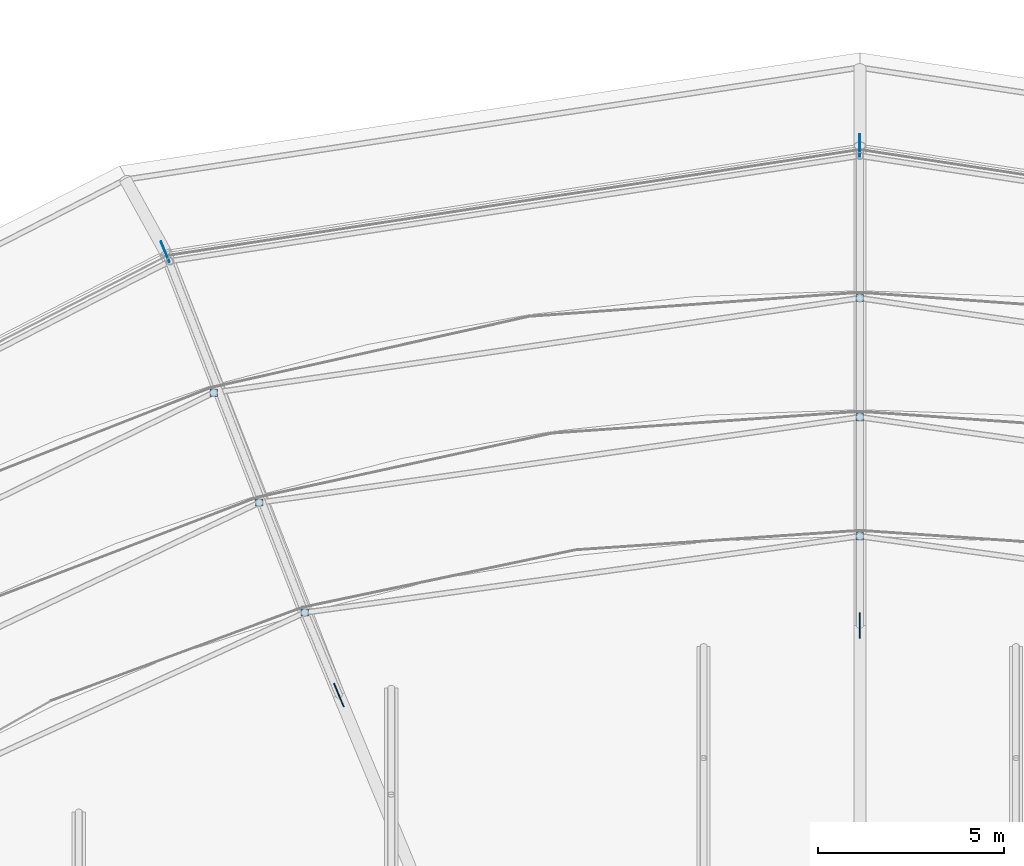
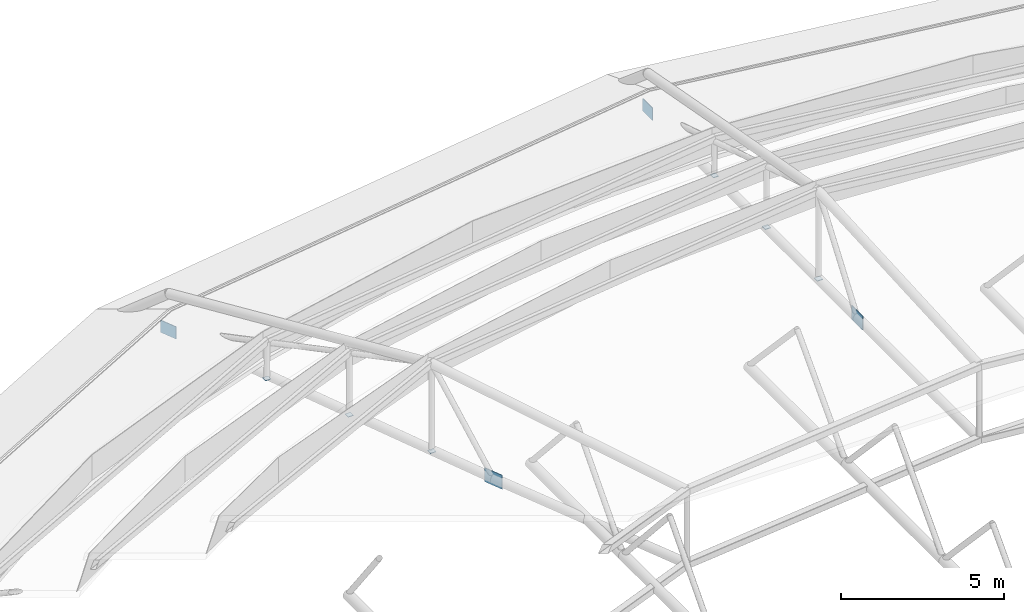
# One storey, part 120 of 134: 10 plates.
"""IFC4 building model written with IfcOpenShell, lengths in metres."""

from ifc_helpers import new_model, si_unit, derived_unit, direction, frame, origin, origin_2d, place, context, subcontext, project, spatial, rectangle, extrude, material, layer, layer_set, type_object, element, save


model = new_model("IFC4")

# Units and contexts
model_context = context("Model", 3, precision=1e-05, world=origin(), true_north=direction((0.0, 1.0)))
body_context = subcontext(model_context, "Body", "Model", "MODEL_VIEW")
ifc_project = project(units=[si_unit("LENGTHUNIT", "METRE"), si_unit("AREAUNIT", "SQUARE_METRE"), si_unit("VOLUMEUNIT", "CUBIC_METRE"), si_unit("PLANEANGLEUNIT", "RADIAN"), si_unit("MASSUNIT", "GRAM", prefix="KILO"), derived_unit("THERMALTRANSMITTANCEUNIT", [(si_unit("MASSUNIT", "GRAM", prefix="KILO"), 1), (si_unit("TIMEUNIT", "SECOND"), -3), (si_unit("THERMODYNAMICTEMPERATUREUNIT", "KELVIN"), -1)])], contexts=[model_context])

# Site, building, storey
site_placement = place(None, origin())
site = spatial("IfcSite", under=ifc_project, at=site_placement, CompositionType="ELEMENT")
building_placement = place(site_placement, origin())
building = spatial("IfcBuilding", under=site, at=building_placement, Name="Kharveza Railside Sports Centre", CompositionType="ELEMENT")
storey_placement = place(building_placement, frame((0.0, 0.0, 12.89990234375)))
storey = spatial("IfcBuildingStorey", under=building, at=storey_placement, Name="L03", CompositionType="ELEMENT", Elevation=12.89990234375)

# Plates
ifc_material = material(Name="Steel S355J2", Category="steel")
ifc_layer_1 = layer(ifc_material, 0.02001953125, Name="Steel S355J2")
ifc_layer_set_1 = layer_set([ifc_layer_1], Name="Steel S355J2")
plate_type_1 = type_object("IfcPlateType", Name="PL-EC09", PredefinedType="USERDEFINED", material=ifc_layer_set_1)
for number, where, z_axis, x_axis, name in (
    (1, (54.60009765625, 83.800048828125, -0.059814453125), (0.0, 0.0, 1.0), (1.0, 0.0, 0.0), "PLT-EC-024"),
    (2, (37.226318359375, 81.257568359375, -0.059814453125), (0.0, 0.0, 1.0), (1.0, 0.0, 0.0), "PLT-EC-025"),
    (3, (54.60009765625, 80.60009765625, -0.059814453125), (0.0, 0.0, 1.0), (1.0, 0.0, 0.0), "PLT-EC-040"),
    (4, (38.45068359375, 78.30126953125, -0.059814453125), (0.0, 0.0, 1.0), (1.0, 0.0, 0.0), "PLT-EC-041"),
    (5, (54.60009765625, 77.39990234375, -0.059814453125), (0.0, 0.0, 1.0), (1.0, 0.0, 0.0), "PLT-EC-056"),
    (6, (39.67529296875, 75.3447265625, -0.059814453125), (0.0, 0.0, 1.0), (1.0, 0.0, 0.0), "PLT-EC-057"),
):
    element("IfcPlate", number, at=place(storey_placement, frame(where, z_axis=z_axis, x_axis=x_axis)), inside=storey, type_object=plate_type_1, Name=name, ObjectType="END_CAP_PLATE", PredefinedType="USERDEFINED", context=body_context, shape_type="SweptSolid", body=[
        extrude(rectangle(XDim=0.194091796875, YDim=0.194091796875, at=origin_2d()), origin(), (0.0, 0.0, 1.0), 0.02001953125),
    ])
ifc_layer_2 = layer(ifc_material, 0.030029296875, Name="Steel S355J2")
ifc_layer_set_2 = layer_set([ifc_layer_2], Name="Steel S355J2")
plate_type_2 = type_object("IfcPlateType", Name="PL-GS01", PredefinedType="USERDEFINED", material=ifc_layer_set_2)
for number, where, z_axis, x_axis, name in (
    (7, (54.60009765625, 75.0, -0.309814453125), (0.0, 0.0, 1.0), (0.0, 1.0, 0.0), "PLT-GS-DRUM-05"),
    (8, (40.59375, 73.12744140625, -0.309814453125), (0.0, 0.0, 1.0), (-0.382683432365, 0.923879532511, 0.0), "PLT-GS-DRUM-06"),
):
    element("IfcPlate", number, at=place(storey_placement, frame(where, z_axis=z_axis, x_axis=x_axis)), inside=storey, type_object=plate_type_2, Name=name, ObjectType="GUSSET_PLATE", PredefinedType="USERDEFINED", context=body_context, shape_type="SweptSolid", body=[
        extrude(rectangle(XDim=0.679931640625, YDim=0.030029296875, at=origin_2d()), origin(), (0.0, 0.0, 1.0), 0.52001953125),
    ])
ifc_layer_3 = layer(ifc_material, 0.02490234375, Name="Steel S355J2")
ifc_layer_set_3 = layer_set([ifc_layer_3], Name="Steel S355J2")
plate_type_3 = type_object("IfcPlateType", Name="PL-GS02", PredefinedType="USERDEFINED", material=ifc_layer_set_3)
for number, where, z_axis, x_axis, name in (
    (9, (54.60009765625, 87.89990234375, -0.27978515625), (0.0, 0.0, 1.0), (0.0, 1.0, 0.0), "PLT-GS-RAKER-05"),
    (10, (35.925048828125, 85.04541015625, -0.27978515625), (0.0, 0.0, 1.0), (-0.382683432365, 0.923879532511, 0.0), "PLT-GS-RAKER-06"),
):
    element("IfcPlate", number, at=place(storey_placement, frame(where, z_axis=z_axis, x_axis=x_axis)), inside=storey, type_object=plate_type_3, Name=name, ObjectType="GUSSET_PLATE", PredefinedType="USERDEFINED", context=body_context, shape_type="SweptSolid", body=[
        extrude(rectangle(XDim=0.60009765625, YDim=0.02490234375, at=origin_2d()), origin(), (0.0, 0.0, 1.0), 0.4599609375),
    ])

save(model, "model.ifc")
